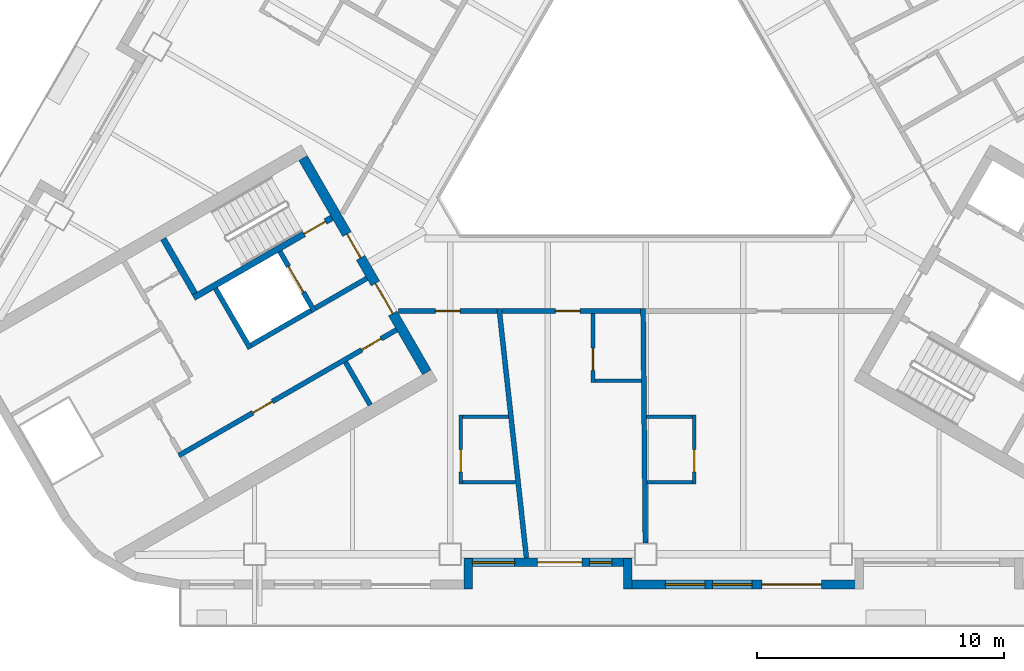
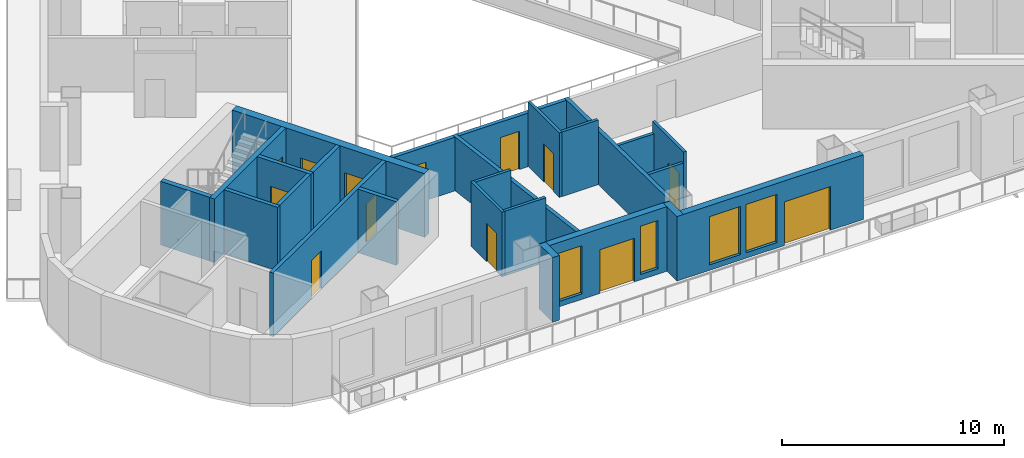
# One storey, part 3 of 14: 25 walls, 13 doors, 4 windows, 17 openings.
"""IFC4 building model written with IfcOpenShell, lengths in metres."""

import ifcopenshell
import ifcopenshell.guid

model = None  # the IFC model being written
_history = None  # IfcOwnerHistory: only IFC2X3 demands one
_inside = {}  # id of a spatial element -> (the spatial element, [elements in it])
_under = {}  # id of a project, library or spatial element -> (it, [spatial elements below it])
_declared = {}  # id of a project -> (the project, [libraries it declares])
_typed = {}  # id of a type object -> (the type object, [elements of that type])
_made_of = {}  # id of a material, layer set ... -> (it, [elements and type objects made of it])


def new_model(schema):
    """Start an empty IFC model of exactly this schema.

    Asked for "IFC4X3", IfcOpenShell would pick the latest addendum, in which some entities
    have other attributes; the version numbers below select the first issue.
    IFC2X3 requires an IfcOwnerHistory on every rooted entity: one is made here for all.
    """
    global model, _history
    if schema == "IFC4X3":
        model = ifcopenshell.file(schema_version=(4, 3, 0, 0))
    else:
        model = ifcopenshell.file(schema=schema)
    _inside.clear()
    _under.clear()
    _declared.clear()
    _typed.clear()
    _made_of.clear()
    _history = None
    if model.schema == "IFC2X3":
        org = make("IfcOrganization", Name="unknown")
        user = make(
            "IfcPersonAndOrganization",
            ThePerson=make("IfcPerson", FamilyName="unknown"),
            TheOrganization=org,
        )
        app = make(
            "IfcApplication",
            ApplicationDeveloper=org,
            Version="unknown",
            ApplicationFullName="unknown",
            ApplicationIdentifier="unknown",
        )
        _history = make(
            "IfcOwnerHistory",
            OwningUser=user,
            OwningApplication=app,
            ChangeAction="ADDED",
            CreationDate=0,
        )
    return model


def make(cls, **values):
    """One entity of the class cls with the attributes given. An attribute that is None is left unset."""
    return model.create_entity(
        cls, **{name: value for name, value in values.items() if value is not None}
    )


def rooted(cls, **values):
    """An entity with a GlobalId (a new one), such as an element, a storey or a relation."""
    return make(cls, GlobalId=ifcopenshell.guid.new(), OwnerHistory=_history, **values)


def si_unit(unit_type, name, prefix=None):
    """IfcSIUnit, for example si_unit("LENGTHUNIT", "METRE", prefix="MILLI")."""
    return make("IfcSIUnit", UnitType=unit_type, Prefix=prefix, Name=name)


def assignment(units):
    """IfcUnitAssignment: the units of a project."""
    return None if units is None else make("IfcUnitAssignment", Units=units)


def point(xyz):
    """IfcCartesianPoint."""
    return None if xyz is None else make("IfcCartesianPoint", Coordinates=xyz)


def direction(xyz):
    """IfcDirection."""
    return None if xyz is None else make("IfcDirection", DirectionRatios=xyz)


def frame(location, z_axis=None, x_axis=None):
    """IfcAxis2Placement3D, a coordinate frame: its origin and axes. An axis left out is left unset."""
    return make(
        "IfcAxis2Placement3D",
        Location=point(location),
        Axis=direction(z_axis),
        RefDirection=direction(x_axis),
    )


def frame_2d(location, x_axis=None):
    """IfcAxis2Placement2D, a coordinate frame in the plane: its origin and x axis."""
    return make(
        "IfcAxis2Placement2D", Location=point(location), RefDirection=direction(x_axis)
    )


def origin():
    """The frame at (0, 0, 0) with its axes left unset."""
    return frame((0.0, 0.0, 0.0))


def place(relative_to, where):
    """IfcLocalPlacement: puts the frame where relative to a parent placement (None: the world)."""
    return make(
        "IfcLocalPlacement", PlacementRelTo=relative_to, RelativePlacement=where
    )


def context(
    kind, dimensions, precision=None, world=None, true_north=None, identifier=None
):
    """IfcGeometricRepresentationContext, for example the 3D "Model" context."""
    return make(
        "IfcGeometricRepresentationContext",
        ContextIdentifier=identifier,
        ContextType=kind,
        CoordinateSpaceDimension=dimensions,
        Precision=precision,
        WorldCoordinateSystem=world,
        TrueNorth=true_north,
    )


def subcontext(parent, identifier, kind, view, scale=None):
    """IfcGeometricRepresentationSubContext, for example "Body" below "Model"."""
    return make(
        "IfcGeometricRepresentationSubContext",
        ContextIdentifier=identifier,
        ContextType=kind,
        ParentContext=parent,
        TargetScale=scale,
        TargetView=view,
    )


def project(units=None, contexts=None):
    """IfcProject with its units and contexts."""
    return rooted(
        "IfcProject",
        Name="project",
        RepresentationContexts=contexts,
        UnitsInContext=assignment(units),
    )


def spatial(cls, under=None, at=None, **own):
    """A site, building, storey or space (cls), placed at a placement, below another one or the project."""
    s = rooted(cls, ObjectPlacement=at, **own)
    if under is not None:
        _under.setdefault(under.id(), (under, []))[1].append(s)
    return s


def profile(cls, at=None, kind="AREA", **sizes):
    """A parametric profile (cls). Its sizes go by their IFC names, for example OverallWidth=200.0."""
    return make(cls, ProfileType=kind, Position=at, **sizes)


def rectangle(**sizes):
    """IfcRectangleProfileDef."""
    return profile("IfcRectangleProfileDef", **sizes)


def extrude(swept, where, along, depth):
    """IfcExtrudedAreaSolid: the profile swept, set in the frame where, extruded along a direction by depth."""
    return make(
        "IfcExtrudedAreaSolid",
        SweptArea=swept,
        Position=where,
        ExtrudedDirection=direction(along),
        Depth=depth,
    )


def shape(context_of_items, identifier, shape_type, items):
    """IfcShapeRepresentation: the items that make up one representation, for example the "Body"."""
    return make(
        "IfcShapeRepresentation",
        ContextOfItems=context_of_items,
        RepresentationIdentifier=identifier,
        RepresentationType=shape_type,
        Items=items,
    )


def material(Name=None, Category=None):
    """IfcMaterial."""
    return make("IfcMaterial", Name=Name, Category=Category)


def layer(
    of_material, thickness, ventilated=None, Name=None, Category=None, Priority=None
):
    """IfcMaterialLayer: one layer of a wall or slab, of a material (None: an air gap)."""
    return make(
        "IfcMaterialLayer",
        Material=of_material,
        LayerThickness=thickness,
        IsVentilated=ventilated,
        Name=Name,
        Category=Category,
        Priority=Priority,
    )


def layer_set(layers, Name=None):
    """IfcMaterialLayerSet."""
    return make("IfcMaterialLayerSet", MaterialLayers=layers, LayerSetName=Name)


def made_of(thing, what):
    """Note that an element or type object is made of a material, layer set ...; save() writes the relation."""
    if what is not None:
        _made_of.setdefault(what.id(), (what, []))[1].append(thing)
    return thing


def type_object(cls, material=None, **own):
    """A type object (cls), such as IfcWallType, which elements share."""
    return made_of(rooted(cls, **own), material)


def element(
    cls,
    number,
    at=None,
    inside=None,
    cuts=None,
    type_object=None,
    material=None,
    context=None,
    identifier="Body",
    shape_type=None,
    held_by="IfcProductDefinitionShape",
    body=None,
    shapes=None,
    **own,
):
    """One element of the class cls, such as IfcWall. Its Tag is "e" and its number.

    at: its placement. inside: the storey or other place that contains it. cuts: it is an
    opening in that element (IfcRelVoidsElement). A single representation is given by context,
    identifier, shape_type and body (its items); several are given by shapes. held_by: the class
    of the entity that holds the representations. save() writes the other relations.
    """
    e = rooted(cls, Tag="e%d" % number, ObjectPlacement=at, **own)
    if body is not None:
        shapes = [shape(context, identifier, shape_type, body)]
    if shapes is not None:
        e.Representation = make(held_by, Representations=shapes)
    if inside is not None:
        _inside.setdefault(inside.id(), (inside, []))[1].append(e)
    if cuts is not None:
        rooted(
            "IfcRelVoidsElement", RelatingBuildingElement=cuts, RelatedOpeningElement=e
        )
    if type_object is not None:
        _typed.setdefault(type_object.id(), (type_object, []))[1].append(e)
    return made_of(e, material)


def fill(opening, filler):
    """IfcRelFillsElement: the door or window that sits in an opening."""
    return rooted(
        "IfcRelFillsElement",
        RelatingOpeningElement=opening,
        RelatedBuildingElement=filler,
    )


def aggregate(whole, parts):
    """IfcRelAggregates: a whole, such as a stair, and the parts it consists of."""
    return rooted("IfcRelAggregates", RelatingObject=whole, RelatedObjects=parts)


def save(model, path):
    """Write the relations noted so far, then the file.

    IfcRelAggregates (storeys below a building ...), IfcRelContainedInSpatialStructure (elements
    in a storey), IfcRelDefinesByType, IfcRelAssociatesMaterial and IfcRelDeclares: one each for
    every whole, place, type object, material and project.
    """
    for whole, parts in _under.values():
        aggregate(whole, parts)
    for where, things in _inside.values():
        rooted(
            "IfcRelContainedInSpatialStructure",
            RelatedElements=things,
            RelatingStructure=where,
        )
    for kind, things in _typed.values():
        rooted("IfcRelDefinesByType", RelatedObjects=things, RelatingType=kind)
    for what, things in _made_of.values():
        rooted("IfcRelAssociatesMaterial", RelatedObjects=things, RelatingMaterial=what)
    for by, libraries in _declared.values():
        rooted("IfcRelDeclares", RelatingContext=by, RelatedDefinitions=libraries)
    model.write(path)


model = new_model("IFC4")

# Units and contexts
model_context = context("Model", 3, precision=1e-05, world=origin(), true_north=direction((0.0, 1.0)))
body_context = subcontext(model_context, "Body", "Model", "MODEL_VIEW")
ifc_project = project(units=[si_unit("LENGTHUNIT", "METRE"), si_unit("AREAUNIT", "SQUARE_METRE"), si_unit("VOLUMEUNIT", "CUBIC_METRE"), si_unit("PLANEANGLEUNIT", "RADIAN"), si_unit("MASSUNIT", "GRAM", prefix="KILO")], contexts=[model_context])

# Site, building, storey
site_placement = place(None, origin())
site = spatial("IfcSite", under=ifc_project, at=site_placement, CompositionType="ELEMENT")
building_placement = place(site_placement, origin())
building = spatial("IfcBuilding", under=site, at=building_placement, Name="Apuvela Tower Hotel", CompositionType="ELEMENT")
storey_placement = place(building_placement, frame((0.0, 0.0, 116.800048828125)))
storey = spatial("IfcBuildingStorey", under=building, at=storey_placement, Name="L27", CompositionType="ELEMENT", Elevation=116.800048828125)

# Wall, openings, doors
ifc_material_1 = material(Name="Concrete C50/60", Category="concrete")
ifc_layer_1 = layer(ifc_material_1, 0.39990234375)
ifc_layer_set_1 = layer_set([ifc_layer_1], Name="COR-WALL-CORE-400")
wall_type_1 = type_object("IfcWallType", Name="COR-WALL-CORE-400", PredefinedType="SHEAR", material=ifc_layer_set_1)
wall_1_placement = place(storey_placement, frame((-13.844970703125, -2.219970703125, 0.0), z_axis=(0.0, 0.0, 1.0), x_axis=(0.500004234368, -0.866022959057, 0.0)))
wall_1 = element("IfcWall", 1, at=wall_1_placement, inside=storey, type_object=wall_type_1, Name="Core wall SW", PredefinedType="SHEAR", context=body_context, shape_type="SweptSolid", body=[
    extrude(rectangle(XDim=10.0, YDim=0.39990234375, at=frame_2d((5.0, 0.0))), origin(), (0.0, 0.0, 1.0), 3.5),
])
opening_1_placement = place(wall_1_placement, frame((3.550048828125, 0.0, 0.0)))
opening_1 = element("IfcOpeningElement", 2, at=opening_1_placement, cuts=wall_1, Name="Opening W-FD", PredefinedType="OPENING", context=body_context, shape_type="SweptSolid", body=[
    extrude(rectangle(XDim=1.10009765625, YDim=2.10009765625, at=frame_2d((0.550048828125, 1.050048828125))), frame((0.0, 0.2099609375, 0.0), z_axis=(0.0, -1.0, 0.0), x_axis=(1.0, 0.0, 0.0)), (0.0, 0.0, 1.0), 0.419921875),
])
opening_2_placement = place(wall_1_placement, frame((5.85009765625, 0.0, 0.0)))
opening_2 = element("IfcOpeningElement", 3, at=opening_2_placement, cuts=wall_1, Name="Opening W-GD", PredefinedType="OPENING", context=body_context, shape_type="SweptSolid", body=[
    extrude(rectangle(XDim=1.39990234375, YDim=2.10009765625, at=frame_2d((0.699951171875, 1.050048828125))), frame((0.0, 0.2099609375, 0.0), z_axis=(0.0, -1.0, 0.0), x_axis=(1.0, 0.0, 0.0)), (0.0, 0.0, 1.0), 0.419921875),
])
ifc_material_2 = material(Name="Steel fire door, powder coated", Category="steel")
door_type_1 = type_object("IfcDoorType", Name="COR-FD-1100", OperationType="NOTDEFINED", PredefinedType="DOOR", material=ifc_material_2)
door_1_placement = place(opening_1_placement, frame((1.10009765625, 0.0, 0.0), z_axis=(0.0, 0.0, 1.0), x_axis=(-1.0, 0.0, 0.0)))
door_1 = element("IfcDoor", 4, at=door_1_placement, inside=storey, type_object=door_type_1, Name="Firefighting lobby door W-FD", OperationType="SINGLE_SWING_LEFT", OverallHeight=2.10009765625, OverallWidth=1.10009765625, PredefinedType="DOOR", context=body_context, shape_type="SweptSolid", body=[
    extrude(rectangle(XDim=1.10009765625, YDim=2.10009765625, at=frame_2d((0.550048828125, 1.050048828125))), frame((0.0, 0.02490234375, 0.0), z_axis=(0.0, -1.0, 0.0), x_axis=(1.0, 0.0, 0.0)), (0.0, 0.0, 1.0), 0.050048828125),
])
fill(opening_1, door_1)
ifc_material_3 = material(Name="Glazed steel fire door", Category="steel")
door_type_2 = type_object("IfcDoorType", Name="COR-GD-1400", OperationType="DOUBLE_DOOR_SINGLE_SWING", PredefinedType="DOOR", material=ifc_material_3)
door_2_placement = place(opening_2_placement, frame((1.39990234375, 0.0, 0.0), z_axis=(0.0, 0.0, 1.0), x_axis=(-1.0, 0.0, 0.0)))
door_2 = element("IfcDoor", 5, at=door_2_placement, inside=storey, type_object=door_type_2, Name="Lift lobby door W-GD", OperationType="DOUBLE_DOOR_SINGLE_SWING", OverallHeight=2.10009765625, OverallWidth=1.39990234375, PredefinedType="DOOR", context=body_context, shape_type="SweptSolid", body=[
    extrude(rectangle(XDim=1.39990234375, YDim=2.10009765625, at=frame_2d((0.699951171875, 1.050048828125))), frame((0.0, 0.02490234375, 0.0), z_axis=(0.0, -1.0, 0.0), x_axis=(1.0, 0.0, 0.0)), (0.0, 0.0, 1.0), 0.050048828125),
])
fill(opening_2, door_2)

# Wall
ifc_layer_2 = layer(ifc_material_1, 0.199951171875)
ifc_layer_set_2 = layer_set([ifc_layer_2], Name="COR-WALL-SHAFT-200")
wall_type_2 = type_object("IfcWallType", Name="COR-WALL-SHAFT-200", PredefinedType="SHEAR", material=ifc_layer_set_2)
wall_2_placement = place(storey_placement, frame((-17.38134765625, -7.49462890625, 0.0), z_axis=(0.0, 0.0, 1.0), x_axis=(0.500011755427, -0.866018616679, 0.0)))
element("IfcWall", 6, at=wall_2_placement, inside=storey, type_object=wall_type_2, Name="Shaft wall SW", PredefinedType="SHEAR", context=body_context, shape_type="SweptSolid", body=[
    extrude(rectangle(XDim=2.80029296875, YDim=0.199951171875, at=frame_2d((1.400146484375, 0.0))), origin(), (0.0, 0.0, 1.0), 3.5),
])

# Wall, opening, door
wall_3_placement = place(storey_placement, frame((-14.783203125, -5.99462890625, 0.0), z_axis=(0.0, 0.0, 1.0), x_axis=(0.49994636267, -0.866056369097, 0.0)))
wall_3 = element("IfcWall", 7, at=wall_3_placement, inside=storey, type_object=wall_type_2, Name="Shaft wall SW", PredefinedType="SHEAR", context=body_context, shape_type="SweptSolid", body=[
    extrude(rectangle(XDim=2.800048828125, YDim=0.199951171875, at=frame_2d((1.39990234375, 0.0))), origin(), (0.0, 0.0, 1.0), 3.5),
])
opening_3_placement = place(wall_3_placement, frame((0.699951171875, 0.0, 0.0)))
opening_3 = element("IfcOpeningElement", 8, at=opening_3_placement, cuts=wall_3, Name="Opening W-LD-FS2", PredefinedType="OPENING", context=body_context, shape_type="SweptSolid", body=[
    extrude(rectangle(XDim=1.199951171875, YDim=2.10009765625, at=frame_2d((0.60009765625, 1.050048828125))), frame((0.0, 0.10986328125, 0.0), z_axis=(0.0, -1.0, 0.0), x_axis=(1.0, 0.0, 0.0)), (0.0, 0.0, 1.0), 0.219970703125),
])
ifc_material_4 = material(Name="Stainless steel lift landing door", Category="steel")
door_type_3 = type_object("IfcDoorType", Name="COR-LD-1200", OperationType="DOUBLE_DOOR_SLIDING", PredefinedType="DOOR", material=ifc_material_4)
door_3_placement = place(opening_3_placement, origin())
door_3 = element("IfcDoor", 9, at=door_3_placement, inside=storey, type_object=door_type_3, Name="Lift landing door W-LD-FS2", OperationType="DOUBLE_DOOR_SLIDING", OverallHeight=2.10009765625, OverallWidth=1.199951171875, PredefinedType="DOOR", context=body_context, shape_type="SweptSolid", body=[
    extrude(rectangle(XDim=1.199951171875, YDim=2.10009765625, at=frame_2d((0.60009765625, 1.050048828125))), frame((0.0, 0.02490234375, 0.0), z_axis=(0.0, -1.0, 0.0), x_axis=(1.0, 0.0, 0.0)), (0.0, 0.0, 1.0), 0.050048828125),
])
fill(opening_3, door_3)

# Walls
wall_4_placement = place(storey_placement, frame((-13.519775390625, -8.383056640625, 0.0), z_axis=(0.0, 0.0, 1.0), x_axis=(-0.866034573852, -0.49998411664, 0.0)))
element("IfcWall", 10, at=wall_4_placement, inside=storey, type_object=wall_type_2, Name="Shaft wall SW", PredefinedType="SHEAR", context=body_context, shape_type="SweptSolid", body=[
    extrude(rectangle(XDim=2.7998046875, YDim=0.199951171875, at=frame_2d((1.39990234375, 0.0))), origin(), (0.0, 0.0, 1.0), 3.5),
])
wall_5_placement = place(storey_placement, frame((-11.26806640625, -7.0830078125, 0.0), z_axis=(0.0, 0.0, 1.0), x_axis=(-0.866050077142, -0.499957262057, 0.0)))
element("IfcWall", 11, at=wall_5_placement, inside=storey, type_object=wall_type_2, Name="Shaft wall SW", PredefinedType="SHEAR", context=body_context, shape_type="SweptSolid", body=[
    extrude(rectangle(XDim=2.400146484375, YDim=0.199951171875, at=frame_2d((1.2001953125, 0.0))), origin(), (0.0, 0.0, 1.0), 3.5),
])

# Wall, openings, doors
wall_6_placement = place(storey_placement, frame((-10.068115234375, -9.16162109375, 0.0), z_axis=(0.0, 0.0, 1.0), x_axis=(-0.866032725843, -0.499987317609, 0.0)))
wall_6 = element("IfcWall", 12, at=wall_6_placement, inside=storey, type_object=wall_type_2, Name="Shaft wall SW", PredefinedType="SHEAR", context=body_context, shape_type="SweptSolid", body=[
    extrude(rectangle(XDim=10.159912109375, YDim=0.199951171875, at=frame_2d((5.080078125, 0.0))), origin(), (0.0, 0.0, 1.0), 3.5),
])
opening_4_placement = place(wall_6_placement, frame((0.719970703125, 0.0, 0.0)))
opening_4 = element("IfcOpeningElement", 13, at=opening_4_placement, cuts=wall_6, Name="Opening W-RE1", PredefinedType="OPENING", context=body_context, shape_type="SweptSolid", body=[
    extrude(rectangle(XDim=0.89990234375, YDim=2.10009765625, at=frame_2d((0.449951171875, 1.050048828125))), frame((0.0, 0.10986328125, 0.0), z_axis=(0.0, -1.0, 0.0), x_axis=(1.0, 0.0, 0.0)), (0.0, 0.0, 1.0), 0.219970703125),
])
opening_5_placement = place(wall_6_placement, frame((5.800048828125, 0.0, 0.0)))
opening_5 = element("IfcOpeningElement", 14, at=opening_5_placement, cuts=wall_6, Name="Opening W-RE2", PredefinedType="OPENING", context=body_context, shape_type="SweptSolid", body=[
    extrude(rectangle(XDim=0.89990234375, YDim=2.10009765625, at=frame_2d((0.449951171875, 1.050048828125))), frame((0.0, 0.10986328125, 0.0), z_axis=(0.0, -1.0, 0.0), x_axis=(1.0, 0.0, 0.0)), (0.0, 0.0, 1.0), 0.219970703125),
])
door_type_4 = type_object("IfcDoorType", Name="COR-DR-900", OperationType="NOTDEFINED", PredefinedType="DOOR", material=ifc_material_2)
door_4_placement = place(opening_4_placement, origin())
door_4 = element("IfcDoor", 15, at=door_4_placement, inside=storey, type_object=door_type_4, Name="Store door W-RE1", OperationType="SINGLE_SWING_LEFT", OverallHeight=2.10009765625, OverallWidth=0.89990234375, PredefinedType="DOOR", context=body_context, shape_type="SweptSolid", body=[
    extrude(rectangle(XDim=0.89990234375, YDim=2.10009765625, at=frame_2d((0.449951171875, 1.050048828125))), frame((0.0, 0.02490234375, 0.0), z_axis=(0.0, -1.0, 0.0), x_axis=(1.0, 0.0, 0.0)), (0.0, 0.0, 1.0), 0.050048828125),
])
fill(opening_4, door_4)
door_5_placement = place(opening_5_placement, origin())
door_5 = element("IfcDoor", 16, at=door_5_placement, inside=storey, type_object=door_type_4, Name="Store door W-RE2", OperationType="SINGLE_SWING_RIGHT", OverallHeight=2.10009765625, OverallWidth=0.89990234375, PredefinedType="DOOR", context=body_context, shape_type="SweptSolid", body=[
    extrude(rectangle(XDim=0.89990234375, YDim=2.10009765625, at=frame_2d((0.449951171875, 1.050048828125))), frame((0.0, 0.02490234375, 0.0), z_axis=(0.0, -1.0, 0.0), x_axis=(1.0, 0.0, 0.0)), (0.0, 0.0, 1.0), 0.050048828125),
])
fill(opening_5, door_5)

# Wall
wall_7_placement = place(storey_placement, frame((-12.131103515625, -10.468017578125, 0.0), z_axis=(0.0, 0.0, 1.0), x_axis=(0.499972520799, -0.866041268327, 0.0)))
element("IfcWall", 17, at=wall_7_placement, inside=storey, type_object=wall_type_2, Name="Shaft wall SW", PredefinedType="SHEAR", context=body_context, shape_type="SweptSolid", body=[
    extrude(rectangle(XDim=2.0, YDim=0.199951171875, at=frame_2d((1.0, 0.0))), origin(), (0.0, 0.0, 1.0), 3.5),
])

# Wall, opening, door
ifc_layer_3 = layer(ifc_material_1, 0.25)
ifc_layer_set_3 = layer_set([ifc_layer_3], Name="COR-WALL-STAIR-250")
wall_type_3 = type_object("IfcWallType", Name="COR-WALL-STAIR-250", PredefinedType="SHEAR", material=ifc_layer_set_3)
wall_8_placement = place(storey_placement, frame((-12.6806640625, -4.636474609375, 0.0), z_axis=(0.0, 0.0, 1.0), x_axis=(-0.866021702275, -0.500006411147, 0.0)))
wall_8 = element("IfcWall", 18, at=wall_8_placement, inside=storey, type_object=wall_type_3, Name="Stair wall SW", PredefinedType="SHEAR", context=body_context, shape_type="SweptSolid", body=[
    extrude(rectangle(XDim=6.4501953125, YDim=0.25, at=frame_2d((3.22509765625, 0.0))), origin(), (0.0, 0.0, 1.0), 3.5),
])
opening_6_placement = place(wall_8_placement, frame((0.300048828125, 0.0, 0.0)))
opening_6 = element("IfcOpeningElement", 19, at=opening_6_placement, cuts=wall_8, Name="Opening W-SD", PredefinedType="OPENING", context=body_context, shape_type="SweptSolid", body=[
    extrude(rectangle(XDim=1.0, YDim=2.10009765625, at=frame_2d((0.5, 1.050048828125))), frame((0.0, 0.135009765625, 0.0), z_axis=(0.0, -1.0, 0.0), x_axis=(1.0, 0.0, 0.0)), (0.0, 0.0, 1.0), 0.27001953125),
])
door_type_5 = type_object("IfcDoorType", Name="COR-SD-1000", OperationType="NOTDEFINED", PredefinedType="DOOR", material=ifc_material_2)
door_6_placement = place(opening_6_placement, frame((1.0, 0.0, 0.0), z_axis=(0.0, 0.0, 1.0), x_axis=(-1.0, 0.0, 0.0)))
door_6 = element("IfcDoor", 20, at=door_6_placement, inside=storey, type_object=door_type_5, Name="Stair door W-SD", OperationType="SINGLE_SWING_LEFT", OverallHeight=2.10009765625, OverallWidth=1.0, PredefinedType="DOOR", context=body_context, shape_type="SweptSolid", body=[
    extrude(rectangle(XDim=1.0, YDim=2.10009765625, at=frame_2d((0.5, 1.050048828125))), frame((0.0, 0.02490234375, 0.0), z_axis=(0.0, -1.0, 0.0), x_axis=(1.0, 0.0, 0.0)), (0.0, 0.0, 1.0), 0.050048828125),
])
fill(opening_6, door_6)

# Walls
wall_9_placement = place(storey_placement, frame((-19.49560546875, -5.482421875, 0.0), z_axis=(0.0, 0.0, 1.0), x_axis=(0.499990435942, -0.866030925526, 0.0)))
element("IfcWall", 21, at=wall_9_placement, inside=storey, type_object=wall_type_3, Name="Stair wall SW", PredefinedType="SHEAR", context=body_context, shape_type="SweptSolid", body=[
    extrude(rectangle(XDim=2.5498046875, YDim=0.25, at=frame_2d((1.27490234375, 0.0))), origin(), (0.0, 0.0, 1.0), 3.5),
])
ifc_material_5 = material(Name="Concrete C40/50, dark pigmented precast panel", Category="concrete")
ifc_layer_4 = layer(ifc_material_5, 0.35009765625)
ifc_layer_set_4 = layer_set([ifc_layer_4], Name="ENV-WALL-350")
wall_type_4 = type_object("IfcWallType", Name="ENV-WALL-350", PredefinedType="SOLIDWALL", material=ifc_layer_set_4)
wall_10_placement = place(storey_placement, frame((-7.175048828125, -19.6298828125, 0.0), z_axis=(0.0, 0.0, 1.0), x_axis=(0.0, 1.0, 0.0)))
element("IfcWall", 22, at=wall_10_placement, inside=storey, type_object=wall_type_4, Name="External wall L27-18", PredefinedType="SOLIDWALL", context=body_context, shape_type="SweptSolid", body=[
    extrude(rectangle(XDim=1.219970703125, YDim=0.35009765625, at=frame_2d((0.60986328125, 0.0))), origin(), (0.0, 0.0, 1.0), 3.550048828125),
])

# Wall, openings, door, windows
wall_11_placement = place(storey_placement, frame((-7.320068359375, -18.554931640625, 0.0), z_axis=(0.0, 0.0, 1.0), x_axis=(1.0, 0.0, 0.0)))
wall_11 = element("IfcWall", 23, at=wall_11_placement, inside=storey, type_object=wall_type_4, Name="External wall L27-19", PredefinedType="SOLIDWALL", context=body_context, shape_type="SweptSolid", body=[
    extrude(rectangle(XDim=6.739990234375, YDim=0.35009765625, at=frame_2d((3.3701171875, 0.0))), origin(), (0.0, 0.0, 1.0), 3.550048828125),
])
opening_7_placement = place(wall_11_placement, frame((0.3203125, 0.0, 0.300048828125)))
opening_7 = element("IfcOpeningElement", 24, at=opening_7_placement, cuts=wall_11, Name="Opening WN17", PredefinedType="OPENING", context=body_context, shape_type="SweptSolid", body=[
    extrude(rectangle(XDim=1.699951171875, YDim=2.64990234375, at=frame_2d((0.85009765625, 1.324951171875))), frame((0.0, 0.18505859375, 0.0), z_axis=(0.0, -1.0, 0.0), x_axis=(1.0, 0.0, 0.0)), (0.0, 0.0, 1.0), 0.3701171875),
])
opening_8_placement = place(wall_11_placement, frame((2.951416015625, 0.0, 0.0)))
opening_8 = element("IfcOpeningElement", 25, at=opening_8_placement, cuts=wall_11, Name="Opening BD18", PredefinedType="OPENING", context=body_context, shape_type="SweptSolid", body=[
    extrude(rectangle(XDim=1.800048828125, YDim=2.39990234375, at=frame_2d((0.89990234375, 1.199951171875))), frame((0.0, 0.18505859375, 0.0), z_axis=(0.0, -1.0, 0.0), x_axis=(1.0, 0.0, 0.0)), (0.0, 0.0, 1.0), 0.3701171875),
])
opening_9_placement = place(wall_11_placement, frame((5.05126953125, 0.0, 0.300048828125)))
opening_9 = element("IfcOpeningElement", 26, at=opening_9_placement, cuts=wall_11, Name="Opening WN09", PredefinedType="OPENING", context=body_context, shape_type="SweptSolid", body=[
    extrude(rectangle(XDim=0.89990234375, YDim=2.64990234375, at=frame_2d((0.449951171875, 1.324951171875))), frame((0.0, 0.18505859375, 0.0), z_axis=(0.0, -1.0, 0.0), x_axis=(1.0, 0.0, 0.0)), (0.0, 0.0, 1.0), 0.3701171875),
])
ifc_material_6 = material(Name="Aluminium 6063-T6, dark bronze anodised frame with dark tinted laminated glass", Category="aluminium")
door_type_6 = type_object("IfcDoorType", Name="ENV-DOOR-BALCONY-1800x2400", OperationType="SLIDING_TO_LEFT", PredefinedType="DOOR", material=ifc_material_6)
door_7_placement = place(opening_8_placement, frame((1.800048828125, 0.0, 0.0), z_axis=(0.0, 0.0, 1.0), x_axis=(-1.0, 0.0, 0.0)))
door_7 = element("IfcDoor", 27, at=door_7_placement, inside=storey, type_object=door_type_6, Name="Balcony door BD18", OperationType="SLIDING_TO_LEFT", OverallHeight=2.39990234375, OverallWidth=1.800048828125, PredefinedType="DOOR", context=body_context, shape_type="SweptSolid", body=[
    extrude(rectangle(XDim=1.800048828125, YDim=2.39990234375, at=frame_2d((0.89990234375, 1.199951171875))), frame((0.0, 0.02490234375, 0.0), z_axis=(0.0, -1.0, 0.0), x_axis=(1.0, 0.0, 0.0)), (0.0, 0.0, 1.0), 0.050048828125),
])
fill(opening_8, door_7)
ifc_material_7 = material(Name="Glass, dark tinted laminated insulated glazing unit", Category="glass")
window_type_1 = type_object("IfcWindowType", Name="ENV-WIN-1700x2650", PartitioningType="SINGLE_PANEL", PredefinedType="WINDOW", material=ifc_material_7)
window_1_placement = place(opening_7_placement, origin())
window_1 = element("IfcWindow", 28, at=window_1_placement, inside=storey, type_object=window_type_1, Name="Window WN17", OverallHeight=2.64990234375, OverallWidth=1.699951171875, PartitioningType="SINGLE_PANEL", PredefinedType="WINDOW", context=body_context, shape_type="SweptSolid", body=[
    extrude(rectangle(XDim=1.699951171875, YDim=2.64990234375, at=frame_2d((0.85009765625, 1.324951171875))), frame((0.0, 0.030029296875, 0.0), z_axis=(0.0, -1.0, 0.0), x_axis=(1.0, 0.0, 0.0)), (0.0, 0.0, 1.0), 0.06005859375),
])
fill(opening_7, window_1)
window_type_2 = type_object("IfcWindowType", Name="ENV-WIN-900x2650", PartitioningType="SINGLE_PANEL", PredefinedType="WINDOW", material=ifc_material_7)
window_2_placement = place(opening_9_placement, origin())
window_2 = element("IfcWindow", 29, at=window_2_placement, inside=storey, type_object=window_type_2, Name="Window WN09", OverallHeight=2.64990234375, OverallWidth=0.89990234375, PartitioningType="SINGLE_PANEL", PredefinedType="WINDOW", context=body_context, shape_type="SweptSolid", body=[
    extrude(rectangle(XDim=0.89990234375, YDim=2.64990234375, at=frame_2d((0.449951171875, 1.324951171875))), frame((0.0, 0.030029296875, 0.0), z_axis=(0.0, -1.0, 0.0), x_axis=(1.0, 0.0, 0.0)), (0.0, 0.0, 1.0), 0.06005859375),
])
fill(opening_9, window_2)

# Wall
wall_12_placement = place(storey_placement, frame((-0.72509765625, -18.409912109375, 0.0), z_axis=(0.0, 0.0, 1.0), x_axis=(0.0, -1.0, 0.0)))
element("IfcWall", 30, at=wall_12_placement, inside=storey, type_object=wall_type_4, Name="External wall L27-20", PredefinedType="SOLIDWALL", context=body_context, shape_type="SweptSolid", body=[
    extrude(rectangle(XDim=1.219970703125, YDim=0.35009765625, at=frame_2d((0.60986328125, 0.0))), origin(), (0.0, 0.0, 1.0), 3.550048828125),
])

# Wall, openings, door, windows
wall_13_placement = place(storey_placement, frame((-0.89990234375, -19.455078125, 0.0), z_axis=(0.0, 0.0, 1.0), x_axis=(1.0, 0.0, 0.0)))
wall_13 = element("IfcWall", 31, at=wall_13_placement, inside=storey, type_object=wall_type_4, Name="External wall L27-21", PredefinedType="SOLIDWALL", context=body_context, shape_type="SweptSolid", body=[
    extrude(rectangle(XDim=9.699951171875, YDim=0.35009765625, at=frame_2d((4.85009765625, 0.0))), origin(), (0.0, 0.0, 1.0), 3.550048828125),
])
opening_10_placement = place(wall_13_placement, frame((5.60009765625, 0.0, 0.0)))
opening_10 = element("IfcOpeningElement", 32, at=opening_10_placement, cuts=wall_13, Name="Opening BD24", PredefinedType="OPENING", context=body_context, shape_type="SweptSolid", body=[
    extrude(rectangle(XDim=2.39990234375, YDim=2.39990234375, at=frame_2d((1.199951171875, 1.199951171875))), frame((0.0, 0.18505859375, 0.0), z_axis=(0.0, -1.0, 0.0), x_axis=(1.0, 0.0, 0.0)), (0.0, 0.0, 1.0), 0.3701171875),
])
opening_11_placement = place(wall_13_placement, frame((1.7001953125, 0.0, 0.300048828125)))
opening_11 = element("IfcOpeningElement", 33, at=opening_11_placement, cuts=wall_13, Name="Opening WN16", PredefinedType="OPENING", context=body_context, shape_type="SweptSolid", body=[
    extrude(rectangle(XDim=1.60009765625, YDim=2.64990234375, at=frame_2d((0.800048828125, 1.324951171875))), frame((0.0, 0.18505859375, 0.0), z_axis=(0.0, -1.0, 0.0), x_axis=(1.0, 0.0, 0.0)), (0.0, 0.0, 1.0), 0.3701171875),
])
opening_12_placement = place(wall_13_placement, frame((3.60009765625, 0.0, 0.300048828125)))
opening_12 = element("IfcOpeningElement", 34, at=opening_12_placement, cuts=wall_13, Name="Opening WN16", PredefinedType="OPENING", context=body_context, shape_type="SweptSolid", body=[
    extrude(rectangle(XDim=1.60009765625, YDim=2.64990234375, at=frame_2d((0.800048828125, 1.324951171875))), frame((0.0, 0.18505859375, 0.0), z_axis=(0.0, -1.0, 0.0), x_axis=(1.0, 0.0, 0.0)), (0.0, 0.0, 1.0), 0.3701171875),
])
door_type_7 = type_object("IfcDoorType", Name="ENV-DOOR-BALCONY-2400x2400", OperationType="SLIDING_TO_LEFT", PredefinedType="DOOR", material=ifc_material_6)
door_8_placement = place(opening_10_placement, frame((2.39990234375, 0.0, 0.0), z_axis=(0.0, 0.0, 1.0), x_axis=(-1.0, 0.0, 0.0)))
door_8 = element("IfcDoor", 35, at=door_8_placement, inside=storey, type_object=door_type_7, Name="Balcony door BD24", OperationType="SLIDING_TO_LEFT", OverallHeight=2.39990234375, OverallWidth=2.39990234375, PredefinedType="DOOR", context=body_context, shape_type="SweptSolid", body=[
    extrude(rectangle(XDim=2.39990234375, YDim=2.39990234375, at=frame_2d((1.199951171875, 1.199951171875))), frame((0.0, 0.02490234375, 0.0), z_axis=(0.0, -1.0, 0.0), x_axis=(1.0, 0.0, 0.0)), (0.0, 0.0, 1.0), 0.050048828125),
])
fill(opening_10, door_8)
window_type_3 = type_object("IfcWindowType", Name="ENV-WIN-1600x2650", PartitioningType="SINGLE_PANEL", PredefinedType="WINDOW", material=ifc_material_7)
window_3_placement = place(opening_11_placement, origin())
window_3 = element("IfcWindow", 36, at=window_3_placement, inside=storey, type_object=window_type_3, Name="Window WN16", OverallHeight=2.64990234375, OverallWidth=1.60009765625, PartitioningType="SINGLE_PANEL", PredefinedType="WINDOW", context=body_context, shape_type="SweptSolid", body=[
    extrude(rectangle(XDim=1.60009765625, YDim=2.64990234375, at=frame_2d((0.800048828125, 1.324951171875))), frame((0.0, 0.030029296875, 0.0), z_axis=(0.0, -1.0, 0.0), x_axis=(1.0, 0.0, 0.0)), (0.0, 0.0, 1.0), 0.06005859375),
])
fill(opening_11, window_3)
window_4_placement = place(opening_12_placement, origin())
window_4 = element("IfcWindow", 37, at=window_4_placement, inside=storey, type_object=window_type_3, Name="Window WN16", OverallHeight=2.64990234375, OverallWidth=1.60009765625, PartitioningType="SINGLE_PANEL", PredefinedType="WINDOW", context=body_context, shape_type="SweptSolid", body=[
    extrude(rectangle(XDim=1.60009765625, YDim=2.64990234375, at=frame_2d((0.800048828125, 1.324951171875))), frame((0.0, 0.030029296875, 0.0), z_axis=(0.0, -1.0, 0.0), x_axis=(1.0, 0.0, 0.0)), (0.0, 0.0, 1.0), 0.06005859375),
])
fill(opening_12, window_4)

# Walls
ifc_material_8 = material(Name="Gypsum board partition on twin steel stud", Category="steel")
ifc_layer_5 = layer(ifc_material_8, 0.199951171875)
ifc_layer_set_5 = layer_set([ifc_layer_5], Name="GST-PW1")
wall_type_5 = type_object("IfcWallType", Name="GST-PW1", PredefinedType="PARTITIONING", material=ifc_layer_set_5)
wall_14_placement = place(storey_placement, frame((-4.818603515625, -18.3798828125, 0.0), z_axis=(0.0, 0.0, 1.0), x_axis=(-0.108803544125, 0.994063272023, 0.0)))
element("IfcWall", 38, at=wall_14_placement, inside=storey, type_object=wall_type_5, Name="L27 partition 01", PredefinedType="PARTITIONING", context=body_context, shape_type="SweptSolid", body=[
    extrude(rectangle(XDim=10.14013671875, YDim=0.199951171875, at=frame_2d((5.070068359375, 0.0))), origin(), (0.0, 0.0, 1.0), 2.9599609375),
])
wall_15_placement = place(storey_placement, frame((-0.013916015625, -17.780029296875, 0.0), z_axis=(0.0, 0.0, 1.0), x_axis=(-0.00927078365, 0.999957025362, 0.0)))
element("IfcWall", 39, at=wall_15_placement, inside=storey, type_object=wall_type_5, Name="L27 partition 02", PredefinedType="PARTITIONING", context=body_context, shape_type="SweptSolid", body=[
    extrude(rectangle(XDim=9.48046875, YDim=0.199951171875, at=frame_2d((4.740234375, 0.0))), origin(), (0.0, 0.0, 1.0), 2.949951171875),
])

# Wall, opening, door
ifc_material_9 = material(Name="Gypsum board corridor wall on twin steel stud, acoustic", Category="steel")
ifc_layer_6 = layer(ifc_material_9, 0.199951171875)
ifc_layer_set_6 = layer_set([ifc_layer_6], Name="GST-PW2")
wall_type_6 = type_object("IfcWallType", Name="GST-PW2", PredefinedType="PARTITIONING", material=ifc_layer_set_6)
wall_16_placement = place(storey_placement, frame((-6.011474609375, -8.39990234375, 0.0), z_axis=(0.0, 0.0, 1.0), x_axis=(-1.0, 0.0, 0.0)))
wall_16 = element("IfcWall", 40, at=wall_16_placement, inside=storey, type_object=wall_type_6, Name="L27 partition 09", PredefinedType="PARTITIONING", context=body_context, shape_type="SweptSolid", body=[
    extrude(rectangle(XDim=3.976806640625, YDim=0.199951171875, at=frame_2d((1.98828125, 0.0))), origin(), (0.0, 0.0, 1.0), 2.949951171875),
])
opening_13_placement = place(wall_16_placement, frame((1.48828125, 0.0, 0.0)))
opening_13 = element("IfcOpeningElement", 41, at=opening_13_placement, cuts=wall_16, Name="Opening GD10-02", PredefinedType="OPENING", context=body_context, shape_type="SweptSolid", body=[
    extrude(rectangle(XDim=1.0, YDim=2.10009765625, at=frame_2d((0.5, 1.050048828125))), frame((0.0, 0.10986328125, 0.0), z_axis=(0.0, -1.0, 0.0), x_axis=(1.0, 0.0, 0.0)), (0.0, 0.0, 1.0), 0.219970703125),
])
ifc_material_10 = material(Name="Timber door leaf in steel frame", Category="steel")
door_type_8 = type_object("IfcDoorType", Name="GST-D1", OperationType="NOTDEFINED", PredefinedType="DOOR", material=ifc_material_10)
door_9_placement = place(opening_13_placement, origin())
door_9 = element("IfcDoor", 42, at=door_9_placement, inside=storey, type_object=door_type_8, Name="Door L27-02", OperationType="SINGLE_SWING_LEFT", OverallHeight=2.10009765625, OverallWidth=1.0, PredefinedType="DOOR", context=body_context, shape_type="SweptSolid", body=[
    extrude(rectangle(XDim=1.0, YDim=2.10009765625, at=frame_2d((0.5, 1.050048828125))), frame((0.0, 0.02490234375, 0.0), z_axis=(0.0, -1.0, 0.0), x_axis=(1.0, 0.0, 0.0)), (0.0, 0.0, 1.0), 0.050048828125),
])
fill(opening_13, door_9)

wall_17_placement = place(storey_placement, frame((-0.200927734375, -8.39990234375, 0.0), z_axis=(0.0, 0.0, 1.0), x_axis=(-1.0, 0.0, 0.0)))
wall_17 = element("IfcWall", 43, at=wall_17_placement, inside=storey, type_object=wall_type_6, Name="L27 partition 13", PredefinedType="PARTITIONING", context=body_context, shape_type="SweptSolid", body=[
    extrude(rectangle(XDim=5.609375, YDim=0.199951171875, at=frame_2d((2.8046875, 0.0))), origin(), (0.0, 0.0, 1.0), 2.949951171875),
])
opening_14_placement = place(wall_17_placement, frame((2.44921875, 0.0, 0.0)))
opening_14 = element("IfcOpeningElement", 44, at=opening_14_placement, cuts=wall_17, Name="Opening GD10-04", PredefinedType="OPENING", context=body_context, shape_type="SweptSolid", body=[
    extrude(rectangle(XDim=1.0, YDim=2.10009765625, at=frame_2d((0.5, 1.050048828125))), frame((0.0, 0.10986328125, 0.0), z_axis=(0.0, -1.0, 0.0), x_axis=(1.0, 0.0, 0.0)), (0.0, 0.0, 1.0), 0.219970703125),
])
door_10_placement = place(opening_14_placement, origin())
door_10 = element("IfcDoor", 45, at=door_10_placement, inside=storey, type_object=door_type_8, Name="Door L27-04", OperationType="SINGLE_SWING_RIGHT", OverallHeight=2.10009765625, OverallWidth=1.0, PredefinedType="DOOR", context=body_context, shape_type="SweptSolid", body=[
    extrude(rectangle(XDim=1.0, YDim=2.10009765625, at=frame_2d((0.5, 1.050048828125))), frame((0.0, 0.02490234375, 0.0), z_axis=(0.0, -1.0, 0.0), x_axis=(1.0, 0.0, 0.0)), (0.0, 0.0, 1.0), 0.050048828125),
])
fill(opening_14, door_10)

ifc_material_11 = material(Name="Moisture-resistant gypsum board wet wall on steel stud", Category="steel")
ifc_layer_7 = layer(ifc_material_11, 0.14990234375)
ifc_layer_set_7 = layer_set([ifc_layer_7], Name="GST-PW3")
wall_type_7 = type_object("IfcWallType", Name="GST-PW3", PredefinedType="PARTITIONING", material=ifc_layer_set_7)
wall_18_placement = place(storey_placement, frame((-7.476806640625, -12.60009765625, 0.0), z_axis=(0.0, 0.0, 1.0), x_axis=(0.0, -1.0, 0.0)))
wall_18 = element("IfcWall", 46, at=wall_18_placement, inside=storey, type_object=wall_type_7, Name="L27 partition 10", PredefinedType="PARTITIONING", context=body_context, shape_type="SweptSolid", body=[
    extrude(rectangle(XDim=2.7998046875, YDim=0.14990234375, at=frame_2d((1.39990234375, 0.0))), origin(), (0.0, 0.0, 1.0), 3.550048828125),
])
opening_15_placement = place(wall_18_placement, frame((1.39990234375, 0.0, 0.0)))
opening_15 = element("IfcOpeningElement", 47, at=opening_15_placement, cuts=wall_18, Name="Opening GD10-01", PredefinedType="OPENING", context=body_context, shape_type="SweptSolid", body=[
    extrude(rectangle(XDim=0.89990234375, YDim=2.10009765625, at=frame_2d((0.449951171875, 1.050048828125))), frame((0.0, 0.0849609375, 0.0), z_axis=(0.0, -1.0, 0.0), x_axis=(1.0, 0.0, 0.0)), (0.0, 0.0, 1.0), 0.169921875),
])
door_type_9 = type_object("IfcDoorType", Name="GST-D2", OperationType="NOTDEFINED", PredefinedType="DOOR", material=ifc_material_10)
door_11_placement = place(opening_15_placement, origin())
door_11 = element("IfcDoor", 48, at=door_11_placement, inside=storey, type_object=door_type_9, Name="Door L27-01", OperationType="SINGLE_SWING_RIGHT", OverallHeight=2.10009765625, OverallWidth=0.89990234375, PredefinedType="DOOR", context=body_context, shape_type="SweptSolid", body=[
    extrude(rectangle(XDim=0.89990234375, YDim=2.10009765625, at=frame_2d((0.449951171875, 1.050048828125))), frame((0.0, 0.02490234375, 0.0), z_axis=(0.0, -1.0, 0.0), x_axis=(1.0, 0.0, 0.0)), (0.0, 0.0, 1.0), 0.050048828125),
])
fill(opening_15, door_11)

# Walls
wall_19_placement = place(storey_placement, frame((-7.40185546875, -15.324951171875, 0.0), z_axis=(0.0, 0.0, 1.0), x_axis=(1.0, 0.0, 0.0)))
element("IfcWall", 49, at=wall_19_placement, inside=storey, type_object=wall_type_7, Name="L27 partition 11", PredefinedType="PARTITIONING", context=body_context, shape_type="SweptSolid", body=[
    extrude(rectangle(XDim=2.1484375, YDim=0.14990234375, at=frame_2d((1.07421875, 0.0))), origin(), (0.0, 0.0, 1.0), 3.550048828125),
])
wall_20_placement = place(storey_placement, frame((-7.40185546875, -12.675048828125, 0.0), z_axis=(0.0, 0.0, 1.0), x_axis=(1.0, 0.0, 0.0)))
element("IfcWall", 50, at=wall_20_placement, inside=storey, type_object=wall_type_7, Name="L27 partition 12", PredefinedType="PARTITIONING", context=body_context, shape_type="SweptSolid", body=[
    extrude(rectangle(XDim=1.858154296875, YDim=0.14990234375, at=frame_2d((0.92919921875, 0.0))), origin(), (0.0, 0.0, 1.0), 3.550048828125),
])

# Wall, opening, door
wall_21_placement = place(storey_placement, frame((-2.125, -8.5, 0.0), z_axis=(0.0, 0.0, 1.0), x_axis=(0.0, -1.0, 0.0)))
wall_21 = element("IfcWall", 51, at=wall_21_placement, inside=storey, type_object=wall_type_7, Name="L27 partition 14", PredefinedType="PARTITIONING", context=body_context, shape_type="SweptSolid", body=[
    extrude(rectangle(XDim=2.800048828125, YDim=0.14990234375, at=frame_2d((1.39990234375, 0.0))), origin(), (0.0, 0.0, 1.0), 3.550048828125),
])
opening_16_placement = place(wall_21_placement, frame((1.39990234375, 0.0, 0.0)))
opening_16 = element("IfcOpeningElement", 52, at=opening_16_placement, cuts=wall_21, Name="Opening GD10-03", PredefinedType="OPENING", context=body_context, shape_type="SweptSolid", body=[
    extrude(rectangle(XDim=0.89990234375, YDim=2.10009765625, at=frame_2d((0.449951171875, 1.050048828125))), frame((0.0, 0.0849609375, 0.0), z_axis=(0.0, -1.0, 0.0), x_axis=(1.0, 0.0, 0.0)), (0.0, 0.0, 1.0), 0.169921875),
])
door_12_placement = place(opening_16_placement, origin())
door_12 = element("IfcDoor", 53, at=door_12_placement, inside=storey, type_object=door_type_9, Name="Door L27-03", OperationType="SINGLE_SWING_RIGHT", OverallHeight=2.10009765625, OverallWidth=0.89990234375, PredefinedType="DOOR", context=body_context, shape_type="SweptSolid", body=[
    extrude(rectangle(XDim=0.89990234375, YDim=2.10009765625, at=frame_2d((0.449951171875, 1.050048828125))), frame((0.0, 0.02490234375, 0.0), z_axis=(0.0, -1.0, 0.0), x_axis=(1.0, 0.0, 0.0)), (0.0, 0.0, 1.0), 0.050048828125),
])
fill(opening_16, door_12)

# Wall
wall_22_placement = place(storey_placement, frame((-2.050048828125, -11.22509765625, 0.0), z_axis=(0.0, 0.0, 1.0), x_axis=(1.0, 0.0, 0.0)))
element("IfcWall", 54, at=wall_22_placement, inside=storey, type_object=wall_type_7, Name="L27 partition 15", PredefinedType="PARTITIONING", context=body_context, shape_type="SweptSolid", body=[
    extrude(rectangle(XDim=1.875244140625, YDim=0.14990234375, at=frame_2d((0.9375, 0.0))), origin(), (0.0, 0.0, 1.0), 3.550048828125),
])

# Wall, opening, door
wall_23_placement = place(storey_placement, frame((1.962890625, -15.39990234375, 0.0), z_axis=(0.0, 0.0, 1.0), x_axis=(0.0, 1.0, 0.0)))
wall_23 = element("IfcWall", 55, at=wall_23_placement, inside=storey, type_object=wall_type_7, Name="L27 partition 17", PredefinedType="PARTITIONING", context=body_context, shape_type="SweptSolid", body=[
    extrude(rectangle(XDim=2.7998046875, YDim=0.14990234375, at=frame_2d((1.39990234375, 0.0))), origin(), (0.0, 0.0, 1.0), 3.550048828125),
])
opening_17_placement = place(wall_23_placement, frame((0.5, 0.0, 0.0)))
opening_17 = element("IfcOpeningElement", 56, at=opening_17_placement, cuts=wall_23, Name="Opening GD10-05", PredefinedType="OPENING", context=body_context, shape_type="SweptSolid", body=[
    extrude(rectangle(XDim=0.89990234375, YDim=2.10009765625, at=frame_2d((0.449951171875, 1.050048828125))), frame((0.0, 0.0849609375, 0.0), z_axis=(0.0, -1.0, 0.0), x_axis=(1.0, 0.0, 0.0)), (0.0, 0.0, 1.0), 0.169921875),
])
door_13_placement = place(opening_17_placement, origin())
door_13 = element("IfcDoor", 57, at=door_13_placement, inside=storey, type_object=door_type_9, Name="Door L27-05", OperationType="SINGLE_SWING_LEFT", OverallHeight=2.10009765625, OverallWidth=0.89990234375, PredefinedType="DOOR", context=body_context, shape_type="SweptSolid", body=[
    extrude(rectangle(XDim=0.89990234375, YDim=2.10009765625, at=frame_2d((0.449951171875, 1.050048828125))), frame((0.0, 0.02490234375, 0.0), z_axis=(0.0, -1.0, 0.0), x_axis=(1.0, 0.0, 0.0)), (0.0, 0.0, 1.0), 0.050048828125),
])
fill(opening_17, door_13)

# Walls
wall_24_placement = place(storey_placement, frame((0.063232421875, -15.324951171875, 0.0), z_axis=(0.0, 0.0, 1.0), x_axis=(1.0, 0.0, 0.0)))
element("IfcWall", 58, at=wall_24_placement, inside=storey, type_object=wall_type_7, Name="L27 partition 18", PredefinedType="PARTITIONING", context=body_context, shape_type="SweptSolid", body=[
    extrude(rectangle(XDim=1.82470703125, YDim=0.14990234375, at=frame_2d((0.912353515625, 0.0))), origin(), (0.0, 0.0, 1.0), 2.949951171875),
])
wall_25_placement = place(storey_placement, frame((0.038818359375, -12.675048828125, 0.0), z_axis=(0.0, 0.0, 1.0), x_axis=(1.0, 0.0, 0.0)))
element("IfcWall", 59, at=wall_25_placement, inside=storey, type_object=wall_type_7, Name="L27 partition 19", PredefinedType="PARTITIONING", context=body_context, shape_type="SweptSolid", body=[
    extrude(rectangle(XDim=1.84912109375, YDim=0.14990234375, at=frame_2d((0.924560546875, 0.0))), origin(), (0.0, 0.0, 1.0), 2.949951171875),
])

save(model, "model.ifc")
